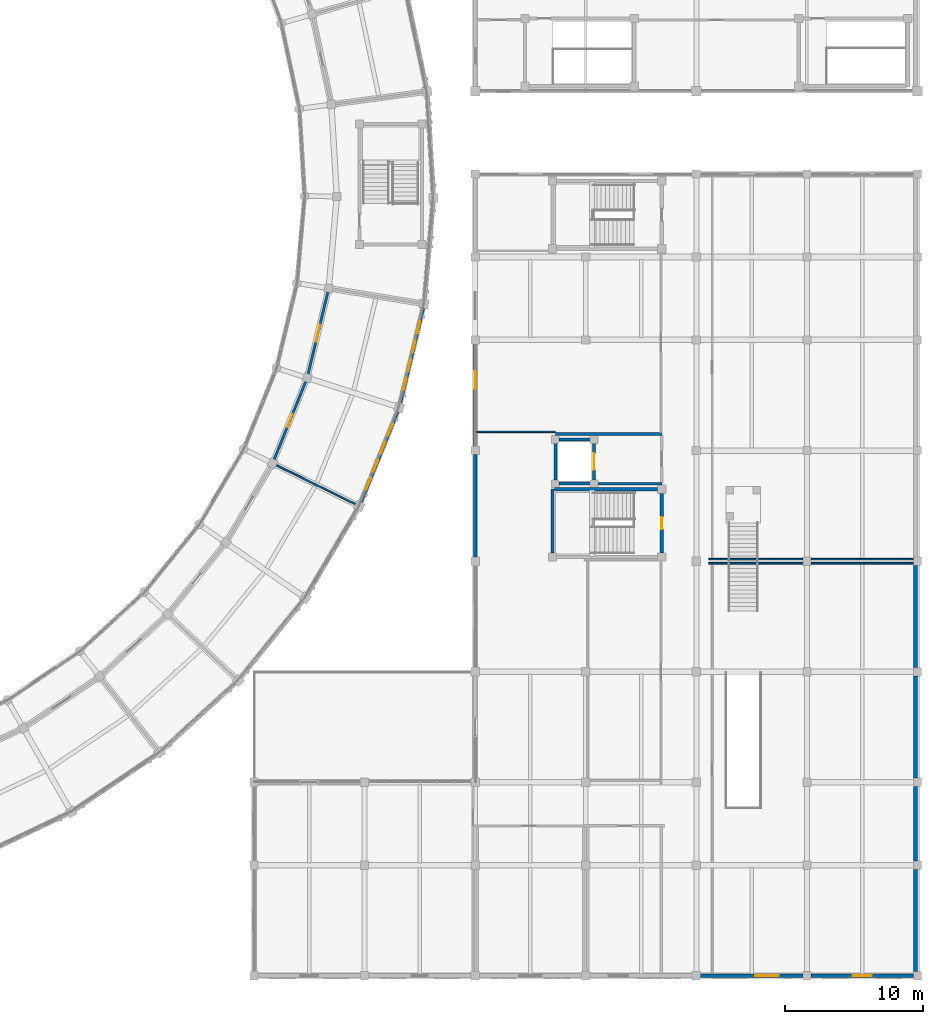
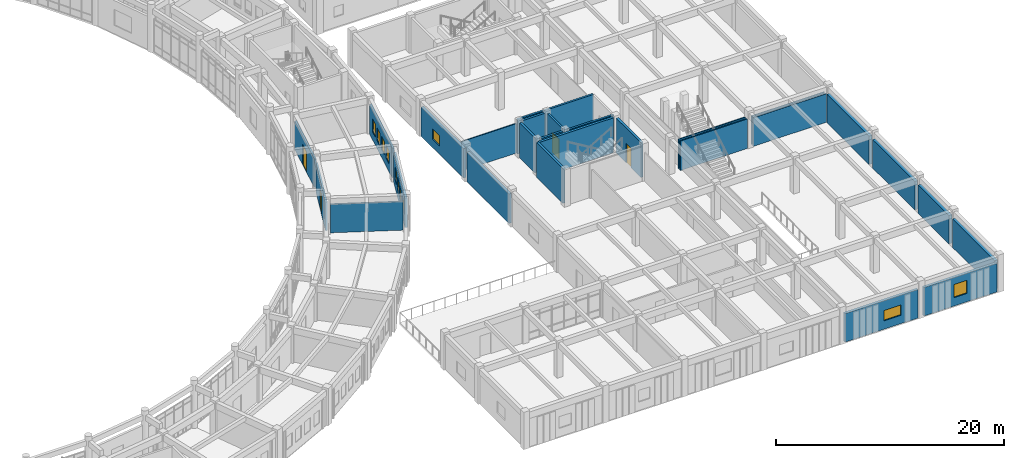
# One storey, part 134 of 159: 27 walls, 11 windows, 4 doors, 15 openings.
"""IFC4 building model written with IfcOpenShell, lengths in metres."""

from ifc_helpers import new_model, si_unit, direction, frame, frame_2d, origin, place, context, subcontext, project, spatial, rectangle, extrude, material, layer, layer_set, type_object, element, fill, save


model = new_model("IFC4")

# Units and contexts
model_context = context("Model", 3, precision=1e-05, world=origin(), true_north=direction((0.0, 1.0)))
body_context = subcontext(model_context, "Body", "Model", "MODEL_VIEW")
ifc_project = project(units=[si_unit("LENGTHUNIT", "METRE"), si_unit("AREAUNIT", "SQUARE_METRE"), si_unit("VOLUMEUNIT", "CUBIC_METRE"), si_unit("PLANEANGLEUNIT", "RADIAN"), si_unit("MASSUNIT", "GRAM", prefix="KILO")], contexts=[model_context])

# Site, building, storey
site_placement = place(None, origin())
site = spatial("IfcSite", under=ifc_project, at=site_placement, CompositionType="ELEMENT")
building_placement = place(site_placement, origin())
building = spatial("IfcBuilding", under=site, at=building_placement, Name="Celadon Cloister-Ring School", CompositionType="ELEMENT")
storey_placement = place(building_placement, frame((0.0, 0.0, 4.5)))
storey = spatial("IfcBuildingStorey", under=building, at=storey_placement, Name="L01", CompositionType="ELEMENT", Elevation=4.5)

# Wall
ifc_material_1 = material(Name="Rendered concrete blockwork", Category="masonry")
ifc_layer_1 = layer(ifc_material_1, 0.260009765625)
ifc_layer_set_1 = layer_set([ifc_layer_1], Name="Rendered concrete blockwork")
wall_type_1 = type_object("IfcWallType", Name="WT-EX2", PredefinedType="SOLIDWALL", material=ifc_layer_set_1)
wall_1_placement = place(storey_placement, frame((142.0, 32.302001953125, 0.0), z_axis=(0.0, 0.0, 1.0), x_axis=(0.0, 1.0, 0.0)))
element("IfcWall", 1, at=wall_1_placement, inside=storey, type_object=wall_type_1, Name="Exterior Wall 0429", PredefinedType="SOLIDWALL", context=body_context, shape_type="SweptSolid", body=[
    extrude(rectangle(XDim=7.39599609375, YDim=0.260009765625, at=frame_2d((3.697998046875, 0.0))), origin(), (0.0, 0.0, 1.0), 3.152099609375),
])

# Wall, opening, window
wall_2_placement = place(storey_placement, frame((142.0, 40.302001953125, 0.0), z_axis=(0.0, 0.0, 1.0), x_axis=(0.0, 1.0, 0.0)))
wall_2 = element("IfcWall", 2, at=wall_2_placement, inside=storey, type_object=wall_type_1, Name="Exterior Wall 0430", PredefinedType="SOLIDWALL", context=body_context, shape_type="SweptSolid", body=[
    extrude(rectangle(XDim=7.39599609375, YDim=0.260009765625, at=frame_2d((3.697998046875, 0.0))), origin(), (0.0, 0.0, 1.0), 3.152099609375),
])
opening_1_placement = place(wall_2_placement, frame((4.181884765625, 0.0, 0.89990234375)))
opening_1 = element("IfcOpeningElement", 3, at=opening_1_placement, cuts=wall_2, Name="Opening WN-04", PredefinedType="OPENING", context=body_context, shape_type="SweptSolid", body=[
    extrude(rectangle(XDim=1.25, YDim=1.10009765625, at=frame_2d((0.625, 0.550048828125))), frame((0.0, 0.14013671875, 0.0), z_axis=(0.0, -1.0, 0.0), x_axis=(1.0, 0.0, 0.0)), (0.0, 0.0, 1.0), 0.280029296875),
])
ifc_material_2 = material(Name="Tempered laminated insulating glass", Category="glass")
window_type_1 = type_object("IfcWindowType", Name="WN-04", PartitioningType="SINGLE_PANEL", PredefinedType="WINDOW", material=ifc_material_2)
window_1_placement = place(opening_1_placement, origin())
window_1 = element("IfcWindow", 4, at=window_1_placement, inside=storey, type_object=window_type_1, Name="Window 0968", OverallHeight=1.10009765625, OverallWidth=1.25, PartitioningType="SINGLE_PANEL", PredefinedType="WINDOW", context=body_context, shape_type="SweptSolid", body=[
    extrude(rectangle(XDim=1.25, YDim=1.10009765625, at=frame_2d((0.625, 0.550048828125))), frame((0.0, 0.030029296875, 0.0), z_axis=(0.0, -1.0, 0.0), x_axis=(1.0, 0.0, 0.0)), (0.0, 0.0, 1.0), 0.06005859375),
])
fill(opening_1, window_1)

wall_3_placement = place(storey_placement, frame((173.697998046875, 2.0, 0.0), z_axis=(0.0, 0.0, 1.0), x_axis=(-1.0, 0.0, 0.0)))
wall_3 = element("IfcWall", 5, at=wall_3_placement, inside=storey, type_object=wall_type_1, Name="Exterior Wall 0445", PredefinedType="SOLIDWALL", context=body_context, shape_type="SweptSolid", body=[
    extrude(rectangle(XDim=7.39599609375, YDim=0.260009765625, at=frame_2d((3.697998046875, 0.0))), origin(), (0.0, 0.0, 1.0), 3.052001953125),
])
opening_2_placement = place(wall_3_placement, frame((3.02294921875, 0.0, 0.89990234375)))
opening_2 = element("IfcOpeningElement", 6, at=opening_2_placement, cuts=wall_3, Name="Opening WN-24", PredefinedType="OPENING", context=body_context, shape_type="SweptSolid", body=[
    extrude(rectangle(XDim=1.35009765625, YDim=1.39990234375, at=frame_2d((0.675048828125, 0.699951171875))), frame((0.0, 0.14013671875, 0.0), z_axis=(0.0, -1.0, 0.0), x_axis=(1.0, 0.0, 0.0)), (0.0, 0.0, 1.0), 0.280029296875),
])
ifc_material_3 = material(Name="Tempered laminated insulating glass", Category="glass")
window_type_2 = type_object("IfcWindowType", Name="WN-24", PartitioningType="SINGLE_PANEL", PredefinedType="WINDOW", material=ifc_material_3)
window_2_placement = place(opening_2_placement, origin())
window_2 = element("IfcWindow", 7, at=window_2_placement, inside=storey, type_object=window_type_2, Name="Window 0973", OverallHeight=1.39990234375, OverallWidth=1.35009765625, PartitioningType="SINGLE_PANEL", PredefinedType="WINDOW", context=body_context, shape_type="SweptSolid", body=[
    extrude(rectangle(XDim=1.35009765625, YDim=1.39990234375, at=frame_2d((0.675048828125, 0.699951171875))), frame((0.0, 0.030029296875, 0.0), z_axis=(0.0, -1.0, 0.0), x_axis=(1.0, 0.0, 0.0)), (0.0, 0.0, 1.0), 0.06005859375),
])
fill(opening_2, window_2)

wall_4_placement = place(storey_placement, frame((165.697998046875, 2.0, 0.0), z_axis=(0.0, 0.0, 1.0), x_axis=(-1.0, 0.0, 0.0)))
wall_4 = element("IfcWall", 8, at=wall_4_placement, inside=storey, type_object=wall_type_1, Name="Exterior Wall 0446", PredefinedType="SOLIDWALL", context=body_context, shape_type="SweptSolid", body=[
    extrude(rectangle(XDim=7.39599609375, YDim=0.260009765625, at=frame_2d((3.697998046875, 0.0))), origin(), (0.0, 0.0, 1.0), 3.052001953125),
])
opening_3_placement = place(wall_4_placement, frame((1.739013671875, 0.0, 0.89990234375)))
opening_3 = element("IfcOpeningElement", 9, at=opening_3_placement, cuts=wall_4, Name="Opening WN-07", PredefinedType="OPENING", context=body_context, shape_type="SweptSolid", body=[
    extrude(rectangle(XDim=1.699951171875, YDim=1.10009765625, at=frame_2d((0.85009765625, 0.550048828125))), frame((0.0, 0.14013671875, 0.0), z_axis=(0.0, -1.0, 0.0), x_axis=(1.0, 0.0, 0.0)), (0.0, 0.0, 1.0), 0.280029296875),
])
ifc_material_4 = material(Name="Tempered laminated insulating glass", Category="glass")
window_type_3 = type_object("IfcWindowType", Name="WN-07", PartitioningType="DOUBLE_PANEL_VERTICAL", PredefinedType="WINDOW", material=ifc_material_4)
window_3_placement = place(opening_3_placement, origin())
window_3 = element("IfcWindow", 10, at=window_3_placement, inside=storey, type_object=window_type_3, Name="Window 0974", OverallHeight=1.10009765625, OverallWidth=1.699951171875, PartitioningType="SINGLE_PANEL", PredefinedType="WINDOW", context=body_context, shape_type="SweptSolid", body=[
    extrude(rectangle(XDim=1.699951171875, YDim=1.10009765625, at=frame_2d((0.85009765625, 0.550048828125))), frame((0.0, 0.030029296875, 0.0), z_axis=(0.0, -1.0, 0.0), x_axis=(1.0, 0.0, 0.0)), (0.0, 0.0, 1.0), 0.06005859375),
])
fill(opening_3, window_3)

# Wall, openings, windows
ifc_material_5 = material(Name="Perforated terracotta clay brick masonry", Category="masonry")
ifc_layer_2 = layer(ifc_material_5, 0.219970703125)
ifc_layer_set_2 = layer_set([ifc_layer_2], Name="Perforated terracotta clay brick masonry")
wall_type_2 = type_object("IfcWallType", Name="WT-EX4", PredefinedType="SOLIDWALL", material=ifc_layer_set_2)
wall_5_placement = place(storey_placement, frame((136.388916015625, 42.805908203125, 0.0), z_axis=(0.0, 0.0, 1.0), x_axis=(-0.375213359758, -0.926938474042, 0.0)))
wall_5 = element("IfcWall", 11, at=wall_5_placement, inside=storey, type_object=wall_type_2, Name="Exterior Wall 0087", PredefinedType="SOLIDWALL", context=body_context, shape_type="SweptSolid", body=[
    extrude(rectangle(XDim=7.030517578125, YDim=0.219970703125, at=frame_2d((3.51513671875, 0.0))), origin(), (0.0, 0.0, 1.0), 3.172119140625),
])
opening_4_placement = place(wall_5_placement, frame((0.9560546875, 0.0, 0.85009765625)))
opening_4 = element("IfcOpeningElement", 12, at=opening_4_placement, cuts=wall_5, Name="Opening WN-21", PredefinedType="OPENING", context=body_context, shape_type="SweptSolid", body=[
    extrude(rectangle(XDim=0.89990234375, YDim=1.39990234375, at=frame_2d((0.449951171875, 0.699951171875))), frame((0.0, 0.1201171875, 0.0), z_axis=(0.0, -1.0, 0.0), x_axis=(1.0, 0.0, 0.0)), (0.0, 0.0, 1.0), 0.239990234375),
])
opening_5_placement = place(wall_5_placement, frame((2.362060546875, 0.0, 0.85009765625)))
opening_5 = element("IfcOpeningElement", 13, at=opening_5_placement, cuts=wall_5, Name="Opening WN-21", PredefinedType="OPENING", context=body_context, shape_type="SweptSolid", body=[
    extrude(rectangle(XDim=0.89990234375, YDim=1.39990234375, at=frame_2d((0.449951171875, 0.699951171875))), frame((0.0, 0.1201171875, 0.0), z_axis=(0.0, -1.0, 0.0), x_axis=(1.0, 0.0, 0.0)), (0.0, 0.0, 1.0), 0.239990234375),
])
opening_6_placement = place(wall_5_placement, frame((3.76806640625, 0.0, 0.85009765625)))
opening_6 = element("IfcOpeningElement", 14, at=opening_6_placement, cuts=wall_5, Name="Opening WN-21", PredefinedType="OPENING", context=body_context, shape_type="SweptSolid", body=[
    extrude(rectangle(XDim=0.89990234375, YDim=1.39990234375, at=frame_2d((0.449951171875, 0.699951171875))), frame((0.0, 0.1201171875, 0.0), z_axis=(0.0, -1.0, 0.0), x_axis=(1.0, 0.0, 0.0)), (0.0, 0.0, 1.0), 0.239990234375),
])
opening_7_placement = place(wall_5_placement, frame((5.175048828125, 0.0, 0.85009765625)))
opening_7 = element("IfcOpeningElement", 15, at=opening_7_placement, cuts=wall_5, Name="Opening WN-21", PredefinedType="OPENING", context=body_context, shape_type="SweptSolid", body=[
    extrude(rectangle(XDim=0.89990234375, YDim=1.39990234375, at=frame_2d((0.449951171875, 0.699951171875))), frame((0.0, 0.1201171875, 0.0), z_axis=(0.0, -1.0, 0.0), x_axis=(1.0, 0.0, 0.0)), (0.0, 0.0, 1.0), 0.239990234375),
])
ifc_material_6 = material(Name="Tempered laminated insulating glass", Category="glass")
window_type_4 = type_object("IfcWindowType", Name="WN-21", PartitioningType="SINGLE_PANEL", PredefinedType="WINDOW", material=ifc_material_6)
window_4_placement = place(opening_4_placement, origin())
window_4 = element("IfcWindow", 16, at=window_4_placement, inside=storey, type_object=window_type_4, Name="Window 0232", OverallHeight=1.39990234375, OverallWidth=0.89990234375, PartitioningType="SINGLE_PANEL", PredefinedType="WINDOW", context=body_context, shape_type="SweptSolid", body=[
    extrude(rectangle(XDim=0.89990234375, YDim=1.39990234375, at=frame_2d((0.449951171875, 0.699951171875))), frame((0.0, 0.030029296875, 0.0), z_axis=(0.0, -1.0, 0.0), x_axis=(1.0, 0.0, 0.0)), (0.0, 0.0, 1.0), 0.06005859375),
])
fill(opening_4, window_4)
window_5_placement = place(opening_5_placement, origin())
window_5 = element("IfcWindow", 17, at=window_5_placement, inside=storey, type_object=window_type_4, Name="Window 0233", OverallHeight=1.39990234375, OverallWidth=0.89990234375, PartitioningType="SINGLE_PANEL", PredefinedType="WINDOW", context=body_context, shape_type="SweptSolid", body=[
    extrude(rectangle(XDim=0.89990234375, YDim=1.39990234375, at=frame_2d((0.449951171875, 0.699951171875))), frame((0.0, 0.030029296875, 0.0), z_axis=(0.0, -1.0, 0.0), x_axis=(1.0, 0.0, 0.0)), (0.0, 0.0, 1.0), 0.06005859375),
])
fill(opening_5, window_5)
window_6_placement = place(opening_6_placement, origin())
window_6 = element("IfcWindow", 18, at=window_6_placement, inside=storey, type_object=window_type_4, Name="Window 0234", OverallHeight=1.39990234375, OverallWidth=0.89990234375, PartitioningType="SINGLE_PANEL", PredefinedType="WINDOW", context=body_context, shape_type="SweptSolid", body=[
    extrude(rectangle(XDim=0.89990234375, YDim=1.39990234375, at=frame_2d((0.449951171875, 0.699951171875))), frame((0.0, 0.030029296875, 0.0), z_axis=(0.0, -1.0, 0.0), x_axis=(1.0, 0.0, 0.0)), (0.0, 0.0, 1.0), 0.06005859375),
])
fill(opening_6, window_6)
window_7_placement = place(opening_7_placement, origin())
window_7 = element("IfcWindow", 19, at=window_7_placement, inside=storey, type_object=window_type_4, Name="Window 0235", OverallHeight=1.39990234375, OverallWidth=0.89990234375, PartitioningType="SINGLE_PANEL", PredefinedType="WINDOW", context=body_context, shape_type="SweptSolid", body=[
    extrude(rectangle(XDim=0.89990234375, YDim=1.39990234375, at=frame_2d((0.449951171875, 0.699951171875))), frame((0.0, 0.030029296875, 0.0), z_axis=(0.0, -1.0, 0.0), x_axis=(1.0, 0.0, 0.0)), (0.0, 0.0, 1.0), 0.06005859375),
])
fill(opening_7, window_7)

wall_6_placement = place(storey_placement, frame((138.239013671875, 50.280029296875, 0.0), z_axis=(0.0, 0.0, 1.0), x_axis=(-0.233995482049, -0.972237684098, 0.0)))
wall_6 = element("IfcWall", 20, at=wall_6_placement, inside=storey, type_object=wall_type_2, Name="Exterior Wall 0088", PredefinedType="SOLIDWALL", context=body_context, shape_type="SweptSolid", body=[
    extrude(rectangle(XDim=7.030029296875, YDim=0.219970703125, at=frame_2d((3.51513671875, 0.0))), origin(), (0.0, 0.0, 1.0), 3.172119140625),
])
opening_8_placement = place(wall_6_placement, frame((0.9560546875, 0.0, 0.85009765625)))
opening_8 = element("IfcOpeningElement", 21, at=opening_8_placement, cuts=wall_6, Name="Opening WN-21", PredefinedType="OPENING", context=body_context, shape_type="SweptSolid", body=[
    extrude(rectangle(XDim=0.89990234375, YDim=1.39990234375, at=frame_2d((0.449951171875, 0.699951171875))), frame((0.0, 0.1201171875, 0.0), z_axis=(0.0, -1.0, 0.0), x_axis=(1.0, 0.0, 0.0)), (0.0, 0.0, 1.0), 0.239990234375),
])
opening_9_placement = place(wall_6_placement, frame((2.362060546875, 0.0, 0.85009765625)))
opening_9 = element("IfcOpeningElement", 22, at=opening_9_placement, cuts=wall_6, Name="Opening WN-21", PredefinedType="OPENING", context=body_context, shape_type="SweptSolid", body=[
    extrude(rectangle(XDim=0.89990234375, YDim=1.39990234375, at=frame_2d((0.449951171875, 0.699951171875))), frame((0.0, 0.1201171875, 0.0), z_axis=(0.0, -1.0, 0.0), x_axis=(1.0, 0.0, 0.0)), (0.0, 0.0, 1.0), 0.239990234375),
])
opening_10_placement = place(wall_6_placement, frame((3.76806640625, 0.0, 0.85009765625)))
opening_10 = element("IfcOpeningElement", 23, at=opening_10_placement, cuts=wall_6, Name="Opening WN-21", PredefinedType="OPENING", context=body_context, shape_type="SweptSolid", body=[
    extrude(rectangle(XDim=0.89990234375, YDim=1.39990234375, at=frame_2d((0.449951171875, 0.699951171875))), frame((0.0, 0.1201171875, 0.0), z_axis=(0.0, -1.0, 0.0), x_axis=(1.0, 0.0, 0.0)), (0.0, 0.0, 1.0), 0.239990234375),
])
opening_11_placement = place(wall_6_placement, frame((5.174072265625, 0.0, 0.85009765625)))
opening_11 = element("IfcOpeningElement", 24, at=opening_11_placement, cuts=wall_6, Name="Opening WN-21", PredefinedType="OPENING", context=body_context, shape_type="SweptSolid", body=[
    extrude(rectangle(XDim=0.89990234375, YDim=1.39990234375, at=frame_2d((0.449951171875, 0.699951171875))), frame((0.0, 0.1201171875, 0.0), z_axis=(0.0, -1.0, 0.0), x_axis=(1.0, 0.0, 0.0)), (0.0, 0.0, 1.0), 0.239990234375),
])
window_8_placement = place(opening_8_placement, origin())
window_8 = element("IfcWindow", 25, at=window_8_placement, inside=storey, type_object=window_type_4, Name="Window 0236", OverallHeight=1.39990234375, OverallWidth=0.89990234375, PartitioningType="SINGLE_PANEL", PredefinedType="WINDOW", context=body_context, shape_type="SweptSolid", body=[
    extrude(rectangle(XDim=0.89990234375, YDim=1.39990234375, at=frame_2d((0.449951171875, 0.699951171875))), frame((0.0, 0.030029296875, 0.0), z_axis=(0.0, -1.0, 0.0), x_axis=(1.0, 0.0, 0.0)), (0.0, 0.0, 1.0), 0.06005859375),
])
fill(opening_8, window_8)
window_9_placement = place(opening_9_placement, origin())
window_9 = element("IfcWindow", 26, at=window_9_placement, inside=storey, type_object=window_type_4, Name="Window 0237", OverallHeight=1.39990234375, OverallWidth=0.89990234375, PartitioningType="SINGLE_PANEL", PredefinedType="WINDOW", context=body_context, shape_type="SweptSolid", body=[
    extrude(rectangle(XDim=0.89990234375, YDim=1.39990234375, at=frame_2d((0.449951171875, 0.699951171875))), frame((0.0, 0.030029296875, 0.0), z_axis=(0.0, -1.0, 0.0), x_axis=(1.0, 0.0, 0.0)), (0.0, 0.0, 1.0), 0.06005859375),
])
fill(opening_9, window_9)
window_10_placement = place(opening_10_placement, origin())
window_10 = element("IfcWindow", 27, at=window_10_placement, inside=storey, type_object=window_type_4, Name="Window 0238", OverallHeight=1.39990234375, OverallWidth=0.89990234375, PartitioningType="SINGLE_PANEL", PredefinedType="WINDOW", context=body_context, shape_type="SweptSolid", body=[
    extrude(rectangle(XDim=0.89990234375, YDim=1.39990234375, at=frame_2d((0.449951171875, 0.699951171875))), frame((0.0, 0.030029296875, 0.0), z_axis=(0.0, -1.0, 0.0), x_axis=(1.0, 0.0, 0.0)), (0.0, 0.0, 1.0), 0.06005859375),
])
fill(opening_10, window_10)
window_11_placement = place(opening_11_placement, origin())
window_11 = element("IfcWindow", 28, at=window_11_placement, inside=storey, type_object=window_type_4, Name="Window 0239", OverallHeight=1.39990234375, OverallWidth=0.89990234375, PartitioningType="SINGLE_PANEL", PredefinedType="WINDOW", context=body_context, shape_type="SweptSolid", body=[
    extrude(rectangle(XDim=0.89990234375, YDim=1.39990234375, at=frame_2d((0.449951171875, 0.699951171875))), frame((0.0, 0.030029296875, 0.0), z_axis=(0.0, -1.0, 0.0), x_axis=(1.0, 0.0, 0.0)), (0.0, 0.0, 1.0), 0.06005859375),
])
fill(opening_11, window_11)

# Walls
ifc_material_7 = material(Name="Concrete C40/50", Category="concrete")
ifc_layer_3 = layer(ifc_material_7, 0.300048828125)
ifc_layer_set_3 = layer_set([ifc_layer_3], Name="Concrete C40/50")
wall_type_3 = type_object("IfcWallType", Name="WT-FW1", PredefinedType="SHEAR", material=ifc_layer_set_3)
for number, where, z_axis, x_axis, name in (
    (29, (173.85009765625, 31.697998046875, 0.0), (0.0, 0.0, 1.0), (0.0, -1.0, 0.0), "Exterior Wall 0441"),
    (30, (173.85009765625, 23.697998046875, 0.0), (0.0, 0.0, 1.0), (0.0, -1.0, 0.0), "Exterior Wall 0442"),
):
    element("IfcWall", number, at=place(storey_placement, frame(where, z_axis=z_axis, x_axis=x_axis)), inside=storey, type_object=wall_type_3, Name=name, PredefinedType="SHEAR", context=body_context, shape_type="SweptSolid", body=[
        extrude(rectangle(XDim=7.39599609375, YDim=0.300048828125, at=frame_2d((3.697998046875, 0.0))), origin(), (0.0, 0.0, 1.0), 3.052001953125),
    ])
wall_7_placement = place(storey_placement, frame((173.85009765625, 15.697998046875, 0.0), z_axis=(0.0, 0.0, 1.0), x_axis=(0.0, -1.0, 0.0)))
element("IfcWall", 31, at=wall_7_placement, inside=storey, type_object=wall_type_3, Name="Exterior Wall 0443", PredefinedType="SHEAR", context=body_context, shape_type="SweptSolid", body=[
    extrude(rectangle(XDim=5.39599609375, YDim=0.300048828125, at=frame_2d((2.697998046875, 0.0))), origin(), (0.0, 0.0, 1.0), 3.052001953125),
])
wall_8_placement = place(storey_placement, frame((173.85009765625, 9.697998046875, 0.0), z_axis=(0.0, 0.0, 1.0), x_axis=(0.0, -1.0, 0.0)))
element("IfcWall", 32, at=wall_8_placement, inside=storey, type_object=wall_type_3, Name="Exterior Wall 0444", PredefinedType="SHEAR", context=body_context, shape_type="SweptSolid", body=[
    extrude(rectangle(XDim=7.39599609375, YDim=0.300048828125, at=frame_2d((3.697998046875, 0.0))), origin(), (0.0, 0.0, 1.0), 3.052001953125),
])
ifc_material_8 = material(Name="Plastered hollow concrete masonry", Category="masonry")
ifc_layer_4 = layer(ifc_material_8, 0.199951171875)
ifc_layer_set_4 = layer_set([ifc_layer_4], Name="Plastered hollow concrete masonry")
wall_type_4 = type_object("IfcWallType", Name="WT-PT1", PredefinedType="PARTITIONING", material=ifc_layer_set_4)
wall_9_placement = place(storey_placement, frame((150.866943359375, 37.60009765625, 0.0), z_axis=(0.0, 0.0, 1.0), x_axis=(1.0, 0.0, 0.0)))
element("IfcWall", 33, at=wall_9_placement, inside=storey, type_object=wall_type_4, Name="Interior Wall 0410", PredefinedType="PARTITIONING", context=body_context, shape_type="SweptSolid", body=[
    extrude(rectangle(XDim=4.633056640625, YDim=0.199951171875, at=frame_2d((2.31640625, 0.0))), origin(), (0.0, 0.0, 1.0), 3.699951171875),
])
wall_10_placement = place(storey_placement, frame((147.800048828125, 41.199951171875, 0.0), z_axis=(0.0, 0.0, 1.0), x_axis=(1.0, 0.0, 0.0)))
element("IfcWall", 34, at=wall_10_placement, inside=storey, type_object=wall_type_4, Name="Interior Wall 0411", PredefinedType="PARTITIONING", context=body_context, shape_type="SweptSolid", body=[
    extrude(rectangle(XDim=7.699951171875, YDim=0.199951171875, at=frame_2d((3.85009765625, 0.0))), origin(), (0.0, 0.0, 1.0), 3.699951171875),
])

# Wall, opening, door
ifc_material_9 = material(Name="Plastered hollow concrete masonry", Category="masonry")
ifc_layer_5 = layer(ifc_material_9, 0.179931640625)
ifc_layer_set_5 = layer_set([ifc_layer_5], Name="Plastered hollow concrete masonry")
wall_type_5 = type_object("IfcWallType", Name="WT-PT2", PredefinedType="PARTITIONING", material=ifc_layer_set_5)
wall_11_placement = place(storey_placement, frame((127.458984375, 39.346923828125, 0.0), z_axis=(0.0, 0.0, 1.0), x_axis=(0.375035083014, 0.927010618337, 0.0)))
wall_11 = element("IfcWall", 35, at=wall_11_placement, inside=storey, type_object=wall_type_5, Name="Interior Wall 0527", PredefinedType="PARTITIONING", context=body_context, shape_type="SweptSolid", body=[
    extrude(rectangle(XDim=6.08203125, YDim=0.179931640625, at=frame_2d((3.041015625, 0.0))), origin(), (0.0, 0.0, 1.0), 3.072021484375),
])
opening_12_placement = place(wall_11_placement, frame((2.551025390625, 0.0, 0.0)))
opening_12 = element("IfcOpeningElement", 36, at=opening_12_placement, cuts=wall_11, Name="Opening D-0165", PredefinedType="OPENING", context=body_context, shape_type="SweptSolid", body=[
    extrude(rectangle(XDim=0.97998046875, YDim=2.199951171875, at=frame_2d((0.489990234375, 1.10009765625))), frame((0.0, 0.10009765625, 0.0), z_axis=(0.0, -1.0, 0.0), x_axis=(1.0, 0.0, 0.0)), (0.0, 0.0, 1.0), 0.199951171875),
])
ifc_material_10 = material(Name="Solid-core fire-rated hardwood leaf", Category="wood")
door_type_1 = type_object("IfcDoorType", Name="DT-07", OperationType="NOTDEFINED", PredefinedType="DOOR", material=ifc_material_10)
door_1_placement = place(opening_12_placement, origin())
door_1 = element("IfcDoor", 37, at=door_1_placement, inside=storey, type_object=door_type_1, Name="Door D-0165", OperationType="SINGLE_SWING_LEFT", OverallHeight=2.199951171875, OverallWidth=0.97998046875, PredefinedType="DOOR", context=body_context, shape_type="SweptSolid", body=[
    extrude(rectangle(XDim=0.97998046875, YDim=2.199951171875, at=frame_2d((0.489990234375, 1.10009765625))), frame((0.0, 0.02490234375, 0.0), z_axis=(0.0, -1.0, 0.0), x_axis=(1.0, 0.0, 0.0)), (0.0, 0.0, 1.0), 0.050048828125),
])
fill(opening_12, door_1)

wall_12_placement = place(storey_placement, frame((129.9189453125, 45.541015625, 0.0), z_axis=(0.0, 0.0, 1.0), x_axis=(0.23391817251, 0.972256287493, 0.0)))
wall_12 = element("IfcWall", 38, at=wall_12_placement, inside=storey, type_object=wall_type_5, Name="Interior Wall 0528", PredefinedType="PARTITIONING", context=body_context, shape_type="SweptSolid", body=[
    extrude(rectangle(XDim=6.07958984375, YDim=0.179931640625, at=frame_2d((3.039794921875, 0.0))), origin(), (0.0, 0.0, 1.0), 3.072021484375),
])
opening_13_placement = place(wall_12_placement, frame((2.4150390625, 0.0, 0.0)))
opening_13 = element("IfcOpeningElement", 39, at=opening_13_placement, cuts=wall_12, Name="Opening D-0166", PredefinedType="OPENING", context=body_context, shape_type="SweptSolid", body=[
    extrude(rectangle(XDim=1.25, YDim=2.199951171875, at=frame_2d((0.625, 1.10009765625))), frame((0.0, 0.10009765625, 0.0), z_axis=(0.0, -1.0, 0.0), x_axis=(1.0, 0.0, 0.0)), (0.0, 0.0, 1.0), 0.199951171875),
])
ifc_material_11 = material(Name="Galvanised fire-rated hollow steel leaf", Category="steel")
door_type_2 = type_object("IfcDoorType", Name="DT-10", OperationType="NOTDEFINED", PredefinedType="DOOR", material=ifc_material_11)
door_2_placement = place(opening_13_placement, origin())
door_2 = element("IfcDoor", 40, at=door_2_placement, inside=storey, type_object=door_type_2, Name="Door D-0166", OperationType="SINGLE_SWING_RIGHT", OverallHeight=2.199951171875, OverallWidth=1.25, PredefinedType="DOOR", context=body_context, shape_type="SweptSolid", body=[
    extrude(rectangle(XDim=1.25, YDim=2.199951171875, at=frame_2d((0.625, 1.10009765625))), frame((0.0, 0.02490234375, 0.0), z_axis=(0.0, -1.0, 0.0), x_axis=(1.0, 0.0, 0.0)), (0.0, 0.0, 1.0), 0.050048828125),
])
fill(opening_13, door_2)

# Walls
ifc_material_12 = material(Name="Acoustic mineral-wool drywall partition")
ifc_layer_6 = layer(ifc_material_12, 0.1201171875)
ifc_layer_set_6 = layer_set([ifc_layer_6], Name="Acoustic mineral-wool drywall partition")
wall_type_6 = type_object("IfcWallType", Name="WT-PT5", PredefinedType="PARTITIONING", material=ifc_layer_set_6)
wall_13_placement = place(storey_placement, frame((127.611083984375, 38.947021484375, 0.0), z_axis=(0.0, 0.0, 1.0), x_axis=(0.896601670098, -0.4428379446, 0.0)))
element("IfcWall", 41, at=wall_13_placement, inside=storey, type_object=wall_type_6, Name="Interior Wall 0496", PredefinedType="PARTITIONING", context=body_context, shape_type="SweptSolid", body=[
    extrude(rectangle(XDim=6.390869140625, YDim=0.1201171875, at=frame_2d((3.1953125, 0.0))), origin(), (0.0, 0.0, 1.0), 3.072021484375),
])
wall_14_placement = place(storey_placement, frame((158.909912109375, 31.85009765625, 0.0), z_axis=(0.0, 0.0, 1.0), x_axis=(1.0, 0.0, 0.0)))
element("IfcWall", 42, at=wall_14_placement, inside=storey, type_object=wall_type_6, Name="Interior Wall 0953", PredefinedType="PARTITIONING", context=body_context, shape_type="SweptSolid", body=[
    extrude(rectangle(XDim=6.798095703125, YDim=0.1201171875, at=frame_2d((3.39892578125, 0.0))), origin(), (0.0, 0.0, 1.0), 3.152099609375),
])
wall_15_placement = place(storey_placement, frame((166.2919921875, 31.85009765625, 0.0), z_axis=(0.0, 0.0, 1.0), x_axis=(1.0, 0.0, 0.0)))
element("IfcWall", 43, at=wall_15_placement, inside=storey, type_object=wall_type_6, Name="Interior Wall 0954", PredefinedType="PARTITIONING", context=body_context, shape_type="SweptSolid", body=[
    extrude(rectangle(XDim=7.416015625, YDim=0.1201171875, at=frame_2d((3.7080078125, 0.0))), origin(), (0.0, 0.0, 1.0), 3.052001953125),
])
ifc_material_13 = material(Name="Acoustic mineral-wool drywall partition")
ifc_layer_7 = layer(ifc_material_13, 0.10009765625)
ifc_layer_set_7 = layer_set([ifc_layer_7], Name="Acoustic mineral-wool drywall partition")
wall_type_7 = type_object("IfcWallType", Name="WT-PT6", PredefinedType="PARTITIONING", material=ifc_layer_set_7)
wall_16_placement = place(storey_placement, frame((173.7080078125, 32.14990234375, 0.0), z_axis=(0.0, 0.0, 1.0), x_axis=(-1.0, 0.0, 0.0)))
element("IfcWall", 44, at=wall_16_placement, inside=storey, type_object=wall_type_7, Name="Interior Wall 0956", PredefinedType="PARTITIONING", context=body_context, shape_type="SweptSolid", body=[
    extrude(rectangle(XDim=7.416015625, YDim=0.10009765625, at=frame_2d((3.7080078125, 0.0))), origin(), (0.0, 0.0, 1.0), 3.052001953125),
])
wall_17_placement = place(storey_placement, frame((165.7080078125, 32.14990234375, 0.0), z_axis=(0.0, 0.0, 1.0), x_axis=(-1.0, 0.0, 0.0)))
element("IfcWall", 45, at=wall_17_placement, inside=storey, type_object=wall_type_7, Name="Interior Wall 0957", PredefinedType="PARTITIONING", context=body_context, shape_type="SweptSolid", body=[
    extrude(rectangle(XDim=6.798095703125, YDim=0.10009765625, at=frame_2d((3.39892578125, 0.0))), origin(), (0.0, 0.0, 1.0), 3.152099609375),
])
wall_18_placement = place(storey_placement, frame((147.800048828125, 41.35009765625, 0.0), z_axis=(0.0, 0.0, 1.0), x_axis=(-1.0, 0.0, 0.0)))
element("IfcWall", 46, at=wall_18_placement, inside=storey, type_object=wall_type_7, Name="Interior Wall 0977", PredefinedType="PARTITIONING", context=body_context, shape_type="SweptSolid", body=[
    extrude(rectangle(XDim=5.6669921875, YDim=0.10009765625, at=frame_2d((2.83349609375, 0.0))), origin(), (0.0, 0.0, 1.0), 3.152099609375),
])
ifc_material_14 = material(Name="Concrete C40/50", Category="concrete")
ifc_layer_8 = layer(ifc_material_14, 0.239990234375)
ifc_layer_set_8 = layer_set([ifc_layer_8], Name="Concrete C40/50")
wall_type_8 = type_object("IfcWallType", Name="WT-SH1", PredefinedType="SHEAR", material=ifc_layer_set_8)
wall_19_placement = place(storey_placement, frame((147.60009765625, 32.592041015625, 0.0), z_axis=(0.0, 0.0, 1.0), x_axis=(0.0, 1.0, 0.0)))
element("IfcWall", 47, at=wall_19_placement, inside=storey, type_object=wall_type_8, Name="Interior Wall 0133", PredefinedType="SHEAR", context=body_context, shape_type="SweptSolid", body=[
    extrude(rectangle(XDim=4.60791015625, YDim=0.239990234375, at=frame_2d((2.303955078125, 0.0))), origin(), (0.0, 0.0, 1.0), 3.739990234375),
])

# Wall, opening, door
wall_20_placement = place(storey_placement, frame((155.5, 36.907958984375, 0.0), z_axis=(0.0, 0.0, 1.0), x_axis=(0.0, -1.0, 0.0)))
wall_20 = element("IfcWall", 48, at=wall_20_placement, inside=storey, type_object=wall_type_8, Name="Interior Wall 0134", PredefinedType="SHEAR", context=body_context, shape_type="SweptSolid", body=[
    extrude(rectangle(XDim=4.31591796875, YDim=0.239990234375, at=frame_2d((2.157958984375, 0.0))), origin(), (0.0, 0.0, 1.0), 3.739990234375),
])
opening_14_placement = place(wall_20_placement, frame((1.718017578125, 0.0, 0.0)))
opening_14 = element("IfcOpeningElement", 49, at=opening_14_placement, cuts=wall_20, Name="Opening D-0066", PredefinedType="OPENING", context=body_context, shape_type="SweptSolid", body=[
    extrude(rectangle(XDim=0.8798828125, YDim=2.10009765625, at=frame_2d((0.43994140625, 1.050048828125))), frame((0.0, 0.1298828125, 0.0), z_axis=(0.0, -1.0, 0.0), x_axis=(1.0, 0.0, 0.0)), (0.0, 0.0, 1.0), 0.260009765625),
])
ifc_material_15 = material(Name="Solid-core fire-rated hardwood leaf", Category="wood")
door_type_3 = type_object("IfcDoorType", Name="DT-01", OperationType="NOTDEFINED", PredefinedType="DOOR", material=ifc_material_15)
door_3_placement = place(opening_14_placement, origin())
door_3 = element("IfcDoor", 50, at=door_3_placement, inside=storey, type_object=door_type_3, Name="Door D-0066", OperationType="SINGLE_SWING_RIGHT", OverallHeight=2.10009765625, OverallWidth=0.8798828125, PredefinedType="DOOR", context=body_context, shape_type="SweptSolid", body=[
    extrude(rectangle(XDim=0.8798828125, YDim=2.10009765625, at=frame_2d((0.43994140625, 1.050048828125))), frame((0.0, 0.02490234375, 0.0), z_axis=(0.0, -1.0, 0.0), x_axis=(1.0, 0.0, 0.0)), (0.0, 0.0, 1.0), 0.050048828125),
])
fill(opening_14, door_3)

# Walls
wall_21_placement = place(storey_placement, frame((155.2080078125, 37.199951171875, 0.0), z_axis=(0.0, 0.0, 1.0), x_axis=(-1.0, 0.0, 0.0)))
element("IfcWall", 51, at=wall_21_placement, inside=storey, type_object=wall_type_8, Name="Interior Wall 0136", PredefinedType="SHEAR", context=body_context, shape_type="SweptSolid", body=[
    extrude(rectangle(XDim=7.485107421875, YDim=0.239990234375, at=frame_2d((3.74267578125, 0.0))), origin(), (0.0, 0.0, 1.0), 3.739990234375),
])
ifc_material_16 = material(Name="Concrete C40/50", Category="concrete")
ifc_layer_9 = layer(ifc_material_16, 0.219970703125)
ifc_layer_set_9 = layer_set([ifc_layer_9], Name="Concrete C40/50")
wall_type_9 = type_object("IfcWallType", Name="WT-SH2", PredefinedType="SHEAR", material=ifc_layer_set_9)
wall_22_placement = place(storey_placement, frame((148.06689453125, 37.60009765625, 0.0), z_axis=(0.0, 0.0, 1.0), x_axis=(1.0, 0.0, 0.0)))
element("IfcWall", 52, at=wall_22_placement, inside=storey, type_object=wall_type_9, Name="Interior Wall 0406", PredefinedType="SHEAR", context=body_context, shape_type="SweptSolid", body=[
    extrude(rectangle(XDim=2.26611328125, YDim=0.219970703125, at=frame_2d((1.133056640625, 0.0))), origin(), (0.0, 0.0, 1.0), 3.739990234375),
])

# Wall, opening, door
wall_23_placement = place(storey_placement, frame((150.60009765625, 37.866943359375, 0.0), z_axis=(0.0, 0.0, 1.0), x_axis=(0.0, 1.0, 0.0)))
wall_23 = element("IfcWall", 53, at=wall_23_placement, inside=storey, type_object=wall_type_9, Name="Interior Wall 0407", PredefinedType="SHEAR", context=body_context, shape_type="SweptSolid", body=[
    extrude(rectangle(XDim=2.666015625, YDim=0.219970703125, at=frame_2d((1.3330078125, 0.0))), origin(), (0.0, 0.0, 1.0), 3.739990234375),
])
opening_15_placement = place(wall_23_placement, frame((0.73291015625, 0.0, 0.0)))
opening_15 = element("IfcOpeningElement", 54, at=opening_15_placement, cuts=wall_23, Name="Opening LD-026", PredefinedType="OPENING", context=body_context, shape_type="SweptSolid", body=[
    extrude(rectangle(XDim=1.199951171875, YDim=2.14990234375, at=frame_2d((0.60009765625, 1.074951171875))), frame((0.0, 0.1201171875, 0.0), z_axis=(0.0, -1.0, 0.0), x_axis=(1.0, 0.0, 0.0)), (0.0, 0.0, 1.0), 0.239990234375),
])
ifc_material_17 = material(Name="Galvanised fire-rated hollow steel leaf", Category="steel")
door_type_4 = type_object("IfcDoorType", Name="DT-LD2", OperationType="DOUBLE_DOOR_SLIDING", PredefinedType="DOOR", material=ifc_material_17)
door_4_placement = place(opening_15_placement, origin())
door_4 = element("IfcDoor", 55, at=door_4_placement, inside=storey, type_object=door_type_4, Name="Door LD-026", OperationType="DOUBLE_DOOR_SLIDING", OverallHeight=2.14990234375, OverallWidth=1.199951171875, PredefinedType="DOOR", context=body_context, shape_type="SweptSolid", body=[
    extrude(rectangle(XDim=1.199951171875, YDim=2.14990234375, at=frame_2d((0.60009765625, 1.074951171875))), frame((0.0, 0.02490234375, 0.0), z_axis=(0.0, -1.0, 0.0), x_axis=(1.0, 0.0, 0.0)), (0.0, 0.0, 1.0), 0.050048828125),
])
fill(opening_15, door_4)

# Walls
wall_24_placement = place(storey_placement, frame((150.3330078125, 40.800048828125, 0.0), z_axis=(0.0, 0.0, 1.0), x_axis=(-1.0, 0.0, 0.0)))
element("IfcWall", 56, at=wall_24_placement, inside=storey, type_object=wall_type_9, Name="Interior Wall 0408", PredefinedType="SHEAR", context=body_context, shape_type="SweptSolid", body=[
    extrude(rectangle(XDim=2.26611328125, YDim=0.219970703125, at=frame_2d((1.133056640625, 0.0))), origin(), (0.0, 0.0, 1.0), 3.739990234375),
])
wall_25_placement = place(storey_placement, frame((147.800048828125, 40.532958984375, 0.0), z_axis=(0.0, 0.0, 1.0), x_axis=(0.0, -1.0, 0.0)))
element("IfcWall", 57, at=wall_25_placement, inside=storey, type_object=wall_type_9, Name="Interior Wall 0409", PredefinedType="SHEAR", context=body_context, shape_type="SweptSolid", body=[
    extrude(rectangle(XDim=2.666015625, YDim=0.219970703125, at=frame_2d((1.3330078125, 0.0))), origin(), (0.0, 0.0, 1.0), 3.739990234375),
])

save(model, "model.ifc")
